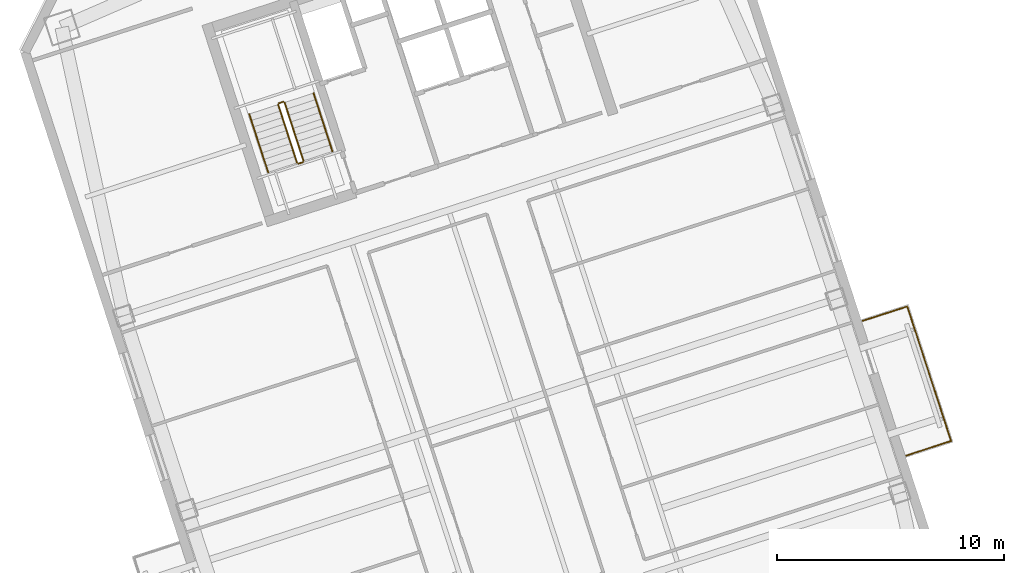
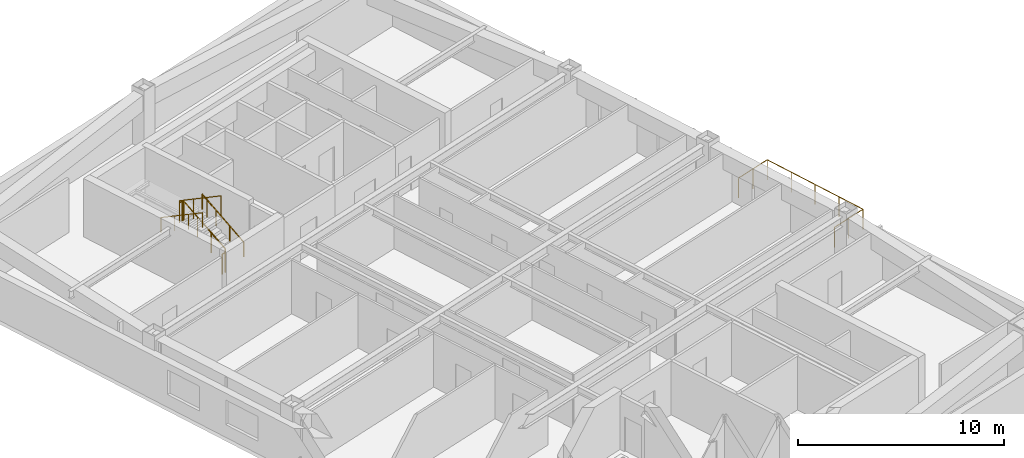
# One storey, part 16 of 16: 7 railings.
"""IFC4 building model written with IfcOpenShell, lengths in metres."""

import ifcopenshell
import ifcopenshell.guid

model = None  # the IFC model being written
_history = None  # IfcOwnerHistory: only IFC2X3 demands one
_inside = {}  # id of a spatial element -> (the spatial element, [elements in it])
_under = {}  # id of a project, library or spatial element -> (it, [spatial elements below it])
_declared = {}  # id of a project -> (the project, [libraries it declares])
_typed = {}  # id of a type object -> (the type object, [elements of that type])
_made_of = {}  # id of a material, layer set ... -> (it, [elements and type objects made of it])


def new_model(schema):
    """Start an empty IFC model of exactly this schema.

    Asked for "IFC4X3", IfcOpenShell would pick the latest addendum, in which some entities
    have other attributes; the version numbers below select the first issue.
    IFC2X3 requires an IfcOwnerHistory on every rooted entity: one is made here for all.
    """
    global model, _history
    if schema == "IFC4X3":
        model = ifcopenshell.file(schema_version=(4, 3, 0, 0))
    else:
        model = ifcopenshell.file(schema=schema)
    _inside.clear()
    _under.clear()
    _declared.clear()
    _typed.clear()
    _made_of.clear()
    _history = None
    if model.schema == "IFC2X3":
        org = make("IfcOrganization", Name="unknown")
        user = make(
            "IfcPersonAndOrganization",
            ThePerson=make("IfcPerson", FamilyName="unknown"),
            TheOrganization=org,
        )
        app = make(
            "IfcApplication",
            ApplicationDeveloper=org,
            Version="unknown",
            ApplicationFullName="unknown",
            ApplicationIdentifier="unknown",
        )
        _history = make(
            "IfcOwnerHistory",
            OwningUser=user,
            OwningApplication=app,
            ChangeAction="ADDED",
            CreationDate=0,
        )
    return model


def make(cls, **values):
    """One entity of the class cls with the attributes given. An attribute that is None is left unset."""
    return model.create_entity(
        cls, **{name: value for name, value in values.items() if value is not None}
    )


def rooted(cls, **values):
    """An entity with a GlobalId (a new one), such as an element, a storey or a relation."""
    return make(cls, GlobalId=ifcopenshell.guid.new(), OwnerHistory=_history, **values)


def si_unit(unit_type, name, prefix=None):
    """IfcSIUnit, for example si_unit("LENGTHUNIT", "METRE", prefix="MILLI")."""
    return make("IfcSIUnit", UnitType=unit_type, Prefix=prefix, Name=name)


def assignment(units):
    """IfcUnitAssignment: the units of a project."""
    return None if units is None else make("IfcUnitAssignment", Units=units)


def point(xyz):
    """IfcCartesianPoint."""
    return None if xyz is None else make("IfcCartesianPoint", Coordinates=xyz)


def direction(xyz):
    """IfcDirection."""
    return None if xyz is None else make("IfcDirection", DirectionRatios=xyz)


def frame(location, z_axis=None, x_axis=None):
    """IfcAxis2Placement3D, a coordinate frame: its origin and axes. An axis left out is left unset."""
    return make(
        "IfcAxis2Placement3D",
        Location=point(location),
        Axis=direction(z_axis),
        RefDirection=direction(x_axis),
    )


def frame_2d(location, x_axis=None):
    """IfcAxis2Placement2D, a coordinate frame in the plane: its origin and x axis."""
    return make(
        "IfcAxis2Placement2D", Location=point(location), RefDirection=direction(x_axis)
    )


def origin():
    """The frame at (0, 0, 0) with its axes left unset."""
    return frame((0.0, 0.0, 0.0))


def origin_2d():
    """The frame at (0, 0) in the plane with its x axis left unset."""
    return frame_2d((0.0, 0.0))


def place(relative_to, where):
    """IfcLocalPlacement: puts the frame where relative to a parent placement (None: the world)."""
    return make(
        "IfcLocalPlacement", PlacementRelTo=relative_to, RelativePlacement=where
    )


def context(
    kind, dimensions, precision=None, world=None, true_north=None, identifier=None
):
    """IfcGeometricRepresentationContext, for example the 3D "Model" context."""
    return make(
        "IfcGeometricRepresentationContext",
        ContextIdentifier=identifier,
        ContextType=kind,
        CoordinateSpaceDimension=dimensions,
        Precision=precision,
        WorldCoordinateSystem=world,
        TrueNorth=true_north,
    )


def subcontext(parent, identifier, kind, view, scale=None):
    """IfcGeometricRepresentationSubContext, for example "Body" below "Model"."""
    return make(
        "IfcGeometricRepresentationSubContext",
        ContextIdentifier=identifier,
        ContextType=kind,
        ParentContext=parent,
        TargetScale=scale,
        TargetView=view,
    )


def project(units=None, contexts=None):
    """IfcProject with its units and contexts."""
    return rooted(
        "IfcProject",
        Name="project",
        RepresentationContexts=contexts,
        UnitsInContext=assignment(units),
    )


def spatial(cls, under=None, at=None, **own):
    """A site, building, storey or space (cls), placed at a placement, below another one or the project."""
    s = rooted(cls, ObjectPlacement=at, **own)
    if under is not None:
        _under.setdefault(under.id(), (under, []))[1].append(s)
    return s


def profile(cls, at=None, kind="AREA", **sizes):
    """A parametric profile (cls). Its sizes go by their IFC names, for example OverallWidth=200.0."""
    return make(cls, ProfileType=kind, Position=at, **sizes)


def circle(**sizes):
    """IfcCircleProfileDef."""
    return profile("IfcCircleProfileDef", **sizes)


def extrude(swept, where, along, depth):
    """IfcExtrudedAreaSolid: the profile swept, set in the frame where, extruded along a direction by depth."""
    return make(
        "IfcExtrudedAreaSolid",
        SweptArea=swept,
        Position=where,
        ExtrudedDirection=direction(along),
        Depth=depth,
    )


def shape(context_of_items, identifier, shape_type, items):
    """IfcShapeRepresentation: the items that make up one representation, for example the "Body"."""
    return make(
        "IfcShapeRepresentation",
        ContextOfItems=context_of_items,
        RepresentationIdentifier=identifier,
        RepresentationType=shape_type,
        Items=items,
    )


def material(Name=None, Category=None):
    """IfcMaterial."""
    return make("IfcMaterial", Name=Name, Category=Category)


def made_of(thing, what):
    """Note that an element or type object is made of a material, layer set ...; save() writes the relation."""
    if what is not None:
        _made_of.setdefault(what.id(), (what, []))[1].append(thing)
    return thing


def type_object(cls, material=None, **own):
    """A type object (cls), such as IfcWallType, which elements share."""
    return made_of(rooted(cls, **own), material)


def element(
    cls,
    number,
    at=None,
    inside=None,
    cuts=None,
    type_object=None,
    material=None,
    context=None,
    identifier="Body",
    shape_type=None,
    held_by="IfcProductDefinitionShape",
    body=None,
    shapes=None,
    **own,
):
    """One element of the class cls, such as IfcWall. Its Tag is "e" and its number.

    at: its placement. inside: the storey or other place that contains it. cuts: it is an
    opening in that element (IfcRelVoidsElement). A single representation is given by context,
    identifier, shape_type and body (its items); several are given by shapes. held_by: the class
    of the entity that holds the representations. save() writes the other relations.
    """
    e = rooted(cls, Tag="e%d" % number, ObjectPlacement=at, **own)
    if body is not None:
        shapes = [shape(context, identifier, shape_type, body)]
    if shapes is not None:
        e.Representation = make(held_by, Representations=shapes)
    if inside is not None:
        _inside.setdefault(inside.id(), (inside, []))[1].append(e)
    if cuts is not None:
        rooted(
            "IfcRelVoidsElement", RelatingBuildingElement=cuts, RelatedOpeningElement=e
        )
    if type_object is not None:
        _typed.setdefault(type_object.id(), (type_object, []))[1].append(e)
    return made_of(e, material)


def aggregate(whole, parts):
    """IfcRelAggregates: a whole, such as a stair, and the parts it consists of."""
    return rooted("IfcRelAggregates", RelatingObject=whole, RelatedObjects=parts)


def save(model, path):
    """Write the relations noted so far, then the file.

    IfcRelAggregates (storeys below a building ...), IfcRelContainedInSpatialStructure (elements
    in a storey), IfcRelDefinesByType, IfcRelAssociatesMaterial and IfcRelDeclares: one each for
    every whole, place, type object, material and project.
    """
    for whole, parts in _under.values():
        aggregate(whole, parts)
    for where, things in _inside.values():
        rooted(
            "IfcRelContainedInSpatialStructure",
            RelatedElements=things,
            RelatingStructure=where,
        )
    for kind, things in _typed.values():
        rooted("IfcRelDefinesByType", RelatedObjects=things, RelatingType=kind)
    for what, things in _made_of.values():
        rooted("IfcRelAssociatesMaterial", RelatedObjects=things, RelatingMaterial=what)
    for by, libraries in _declared.values():
        rooted("IfcRelDeclares", RelatingContext=by, RelatedDefinitions=libraries)
    model.write(path)


model = new_model("IFC4")

# Units and contexts
model_context = context("Model", 3, precision=1e-05, world=origin(), true_north=direction((0.0, 1.0)))
body_context = subcontext(model_context, "Body", "Model", "MODEL_VIEW")
ifc_project = project(units=[si_unit("LENGTHUNIT", "METRE"), si_unit("AREAUNIT", "SQUARE_METRE"), si_unit("VOLUMEUNIT", "CUBIC_METRE"), si_unit("PLANEANGLEUNIT", "RADIAN"), si_unit("MASSUNIT", "GRAM", prefix="KILO")], contexts=[model_context])

# Site, building, storey
site_placement = place(None, origin())
site = spatial("IfcSite", under=ifc_project, at=site_placement, CompositionType="ELEMENT")
building_placement = place(site_placement, origin())
building = spatial("IfcBuilding", under=site, at=building_placement, Name="Qiaolan Cultural Towers", CompositionType="ELEMENT")
storey_placement = place(building_placement, frame((0.0, 0.0, 188.60009765625)))
storey = spatial("IfcBuildingStorey", under=building, at=storey_placement, Name="L50", CompositionType="ELEMENT", Elevation=188.60009765625)

# Railings
ifc_material_1 = material(Name="Laminated SentryGlas & Stainless Steel S31608 Balustrade", Category="steel")
railing_type_1 = type_object("IfcRailingType", Name="GRD-TERR-1200", PredefinedType="BALUSTRADE", material=ifc_material_1)
railing_1_placement = place(storey_placement, frame((107.39794921875, 31.74609375, 0.0)))
element("IfcRailing", 1, at=railing_1_placement, inside=storey, type_object=railing_type_1, Name="L50 T2 Tree Balcony Guardrail E", PredefinedType="BALUSTRADE", context=body_context, shape_type="SweptSolid", body=[
    extrude(circle(Radius=0.02392578125, at=origin_2d()), frame((0.0, 0.0, 1.17578125), z_axis=(0.951061799618, 0.309000733507, 0.0), x_axis=(-0.309000733507, 0.951061799618, 0.0)), (0.0, 0.0, 1.0), 2.070068359375),
    extrude(circle(Radius=0.02392578125, at=origin_2d()), frame((1.96875, 0.6396484375, 1.17578125), z_axis=(-0.30901175762, 0.951058217804, 0.0), x_axis=(-0.951058217804, -0.30901175762, 0.0)), (0.0, 0.0, 1.0), 6.239990234375),
    extrude(circle(Radius=0.02392578125, at=origin_2d()), frame((0.04052734375, 6.57421875, 1.17578125), z_axis=(-0.951061799618, -0.309000733507, 0.0), x_axis=(0.309000733507, -0.951061799618, 0.0)), (0.0, 0.0, 1.0), 2.070068359375),
    extrude(circle(Radius=0.02099609375, at=origin_2d()), origin(), (0.0, 0.0, 1.0), 1.15185546875),
    extrude(circle(Radius=0.02099609375, at=origin_2d()), frame((0.984375, 0.31982421875, 0.0)), (0.0, 0.0, 1.0), 1.15185546875),
    extrude(circle(Radius=0.02099609375, at=origin_2d()), frame((1.96875, 0.6396484375, 0.0)), (0.0, 0.0, 1.0), 1.15185546875),
    extrude(circle(Radius=0.02099609375, at=origin_2d()), frame((1.48681640625, 2.123291015625, 0.0)), (0.0, 0.0, 1.0), 1.15185546875),
    extrude(circle(Radius=0.02099609375, at=origin_2d()), frame((1.004638671875, 3.60693359375, 0.0)), (0.0, 0.0, 1.0), 1.15185546875),
    extrude(circle(Radius=0.02099609375, at=origin_2d()), frame((0.5224609375, 5.090576171875, 0.0)), (0.0, 0.0, 1.0), 1.15185546875),
    extrude(circle(Radius=0.02099609375, at=origin_2d()), frame((0.04052734375, 6.57421875, 0.0)), (0.0, 0.0, 1.0), 1.15185546875),
    extrude(circle(Radius=0.02099609375, at=origin_2d()), frame((-0.94384765625, 6.25439453125, 0.0)), (0.0, 0.0, 1.0), 1.15185546875),
    extrude(circle(Radius=0.02099609375, at=origin_2d()), frame((-1.92822265625, 5.9345703125, 0.0)), (0.0, 0.0, 1.0), 1.15185546875),
])
ifc_material_2 = material(Name="Galvanized Painted Steel Stair Guardrail", Category="steel")
railing_type_2 = type_object("IfcRailingType", Name="RL-STAIR-GRD", PredefinedType="GUARDRAIL", material=ifc_material_2)
railing_2_placement = place(storey_placement, frame((80.822021484375, 44.739501953125, 0.17236328125)))
element("IfcRailing", 2, at=railing_2_placement, inside=storey, type_object=railing_type_2, Name="L50 ST-E2 stair guard 1", PredefinedType="GUARDRAIL", context=body_context, shape_type="SweptSolid", body=[
    extrude(circle(Radius=0.02392578125, at=origin_2d()), frame((0.0, 0.0, 1.17578125), z_axis=(-0.26785290645, 0.824488402118, 0.498471358535), x_axis=(-0.951069945308, -0.308975661068, 0.0)), (0.0, 0.0, 1.0), 3.114501953125),
    extrude(circle(Radius=0.02099609375, at=origin_2d()), origin(), (0.0, 0.0, 1.0), 1.15185546875),
    extrude(circle(Radius=0.02099609375, at=origin_2d()), frame((-0.278076171875, 0.85595703125, 0.517578125)), (0.0, 0.0, 1.0), 1.15185546875),
    extrude(circle(Radius=0.02099609375, at=origin_2d()), frame((-0.55615234375, 1.7119140625, 1.034912109375)), (0.0, 0.0, 1.0), 1.15185546875),
    extrude(circle(Radius=0.02099609375, at=origin_2d()), frame((-0.834228515625, 2.56787109375, 1.552490234375)), (0.0, 0.0, 1.0), 1.15185546875),
])
railing_3_placement = place(storey_placement, frame((79.9248046875, 47.33935546875, 1.724853515625)))
element("IfcRailing", 3, at=railing_3_placement, inside=storey, type_object=railing_type_2, Name="L50 ST-E2 stair guard 2", PredefinedType="GUARDRAIL", context=body_context, shape_type="SweptSolid", body=[
    extrude(circle(Radius=0.02392578125, at=origin_2d()), frame((0.0, 0.0, 1.17578125), z_axis=(-0.951096855055, -0.308892816854, 0.0), x_axis=(0.308892816854, -0.951096855055, 0.0)), (0.0, 0.0, 1.0), 0.199951171875),
    extrude(circle(Radius=0.02099609375, at=origin_2d()), origin(), (0.0, 0.0, 1.0), 1.15185546875),
    extrude(circle(Radius=0.02099609375, at=origin_2d()), frame((-0.190185546875, -0.061767578125, 0.0)), (0.0, 0.0, 1.0), 1.15185546875),
])
railing_4_placement = place(storey_placement, frame((79.702392578125, 47.214599609375, 1.8974609375)))
element("IfcRailing", 4, at=railing_4_placement, inside=storey, type_object=railing_type_2, Name="L50 ST-E2 stair guard 3", PredefinedType="GUARDRAIL", context=body_context, shape_type="SweptSolid", body=[
    extrude(circle(Radius=0.02392578125, at=origin_2d()), frame((0.0, 0.0, 1.17578125), z_axis=(0.267925668498, -0.824471088726, 0.498460891159), x_axis=(0.951043371037, 0.309057448393, 0.0)), (0.0, 0.0, 1.0), 3.114501953125),
    extrude(circle(Radius=0.02099609375, at=origin_2d()), origin(), (0.0, 0.0, 1.0), 1.15185546875),
    extrude(circle(Radius=0.02099609375, at=origin_2d()), frame((0.278076171875, -0.85595703125, 0.517578125)), (0.0, 0.0, 1.0), 1.15185546875),
    extrude(circle(Radius=0.02099609375, at=origin_2d()), frame((0.556396484375, -1.7119140625, 1.034912109375)), (0.0, 0.0, 1.0), 1.15185546875),
    extrude(circle(Radius=0.02099609375, at=origin_2d()), frame((0.83447265625, -2.56787109375, 1.552490234375)), (0.0, 0.0, 1.0), 1.15185546875),
])
railing_5_placement = place(storey_placement, frame((80.7900390625, 44.676513671875, 0.0)))
element("IfcRailing", 5, at=railing_5_placement, inside=storey, type_object=railing_type_2, Name="L50 ST-E2 stair guard 4", PredefinedType="GUARDRAIL", context=body_context, shape_type="SweptSolid", body=[
    extrude(circle(Radius=0.02392578125, at=origin_2d()), frame((0.0, 0.0, 1.17578125), z_axis=(-0.951096855055, -0.308892816854, 0.0), x_axis=(0.308892816854, -0.951096855055, 0.0)), (0.0, 0.0, 1.0), 0.199951171875),
    extrude(circle(Radius=0.02099609375, at=origin_2d()), origin(), (0.0, 0.0, 1.0), 1.15185546875),
    extrude(circle(Radius=0.02099609375, at=origin_2d()), frame((-0.190185546875, -0.061767578125, 0.0)), (0.0, 0.0, 1.0), 1.15185546875),
])
ifc_material_3 = material(Name="Stainless Steel S30408 Tubular Handrail", Category="steel")
railing_type_3 = type_object("IfcRailingType", Name="RL-STAIR-HR", PredefinedType="HANDRAIL", material=ifc_material_3)
railing_6_placement = place(storey_placement, frame((82.096435546875, 45.153564453125, 0.17236328125)))
element("IfcRailing", 6, at=railing_6_placement, inside=storey, type_object=railing_type_3, Name="L50 ST-E2 stair handrail 1", PredefinedType="HANDRAIL", context=body_context, shape_type="SweptSolid", body=[
    extrude(circle(Radius=0.02392578125, at=origin_2d()), frame((0.0, 0.0, 0.8759765625), z_axis=(-0.26785290645, 0.824488402118, 0.498471358535), x_axis=(-0.951069945308, -0.308975661068, 0.0)), (0.0, 0.0, 1.0), 3.114501953125),
    extrude(circle(Radius=0.02099609375, at=origin_2d()), origin(), (0.0, 0.0, 1.0), 0.851806640625),
    extrude(circle(Radius=0.02099609375, at=origin_2d()), frame((-0.278076171875, 0.85595703125, 0.517578125)), (0.0, 0.0, 1.0), 0.851806640625),
    extrude(circle(Radius=0.02099609375, at=origin_2d()), frame((-0.55615234375, 1.7119140625, 1.034912109375)), (0.0, 0.0, 1.0), 0.851806640625),
    extrude(circle(Radius=0.02099609375, at=origin_2d()), frame((-0.834228515625, 2.56787109375, 1.552490234375)), (0.0, 0.0, 1.0), 0.851806640625),
])
railing_7_placement = place(storey_placement, frame((78.427978515625, 46.800537109375, 1.8974609375)))
element("IfcRailing", 7, at=railing_7_placement, inside=storey, type_object=railing_type_3, Name="L50 ST-E2 stair handrail 2", PredefinedType="HANDRAIL", context=body_context, shape_type="SweptSolid", body=[
    extrude(circle(Radius=0.02392578125, at=origin_2d()), frame((0.0, 0.0, 0.8759765625), z_axis=(0.267925668498, -0.824471088726, 0.498460891159), x_axis=(0.951043371037, 0.309057448393, 0.0)), (0.0, 0.0, 1.0), 3.114501953125),
    extrude(circle(Radius=0.02099609375, at=origin_2d()), origin(), (0.0, 0.0, 1.0), 0.851806640625),
    extrude(circle(Radius=0.02099609375, at=origin_2d()), frame((0.278076171875, -0.85595703125, 0.517578125)), (0.0, 0.0, 1.0), 0.851806640625),
    extrude(circle(Radius=0.02099609375, at=origin_2d()), frame((0.556396484375, -1.7119140625, 1.034912109375)), (0.0, 0.0, 1.0), 0.851806640625),
    extrude(circle(Radius=0.02099609375, at=origin_2d()), frame((0.83447265625, -2.56787109375, 1.552490234375)), (0.0, 0.0, 1.0), 0.851806640625),
])

save(model, "model.ifc")
